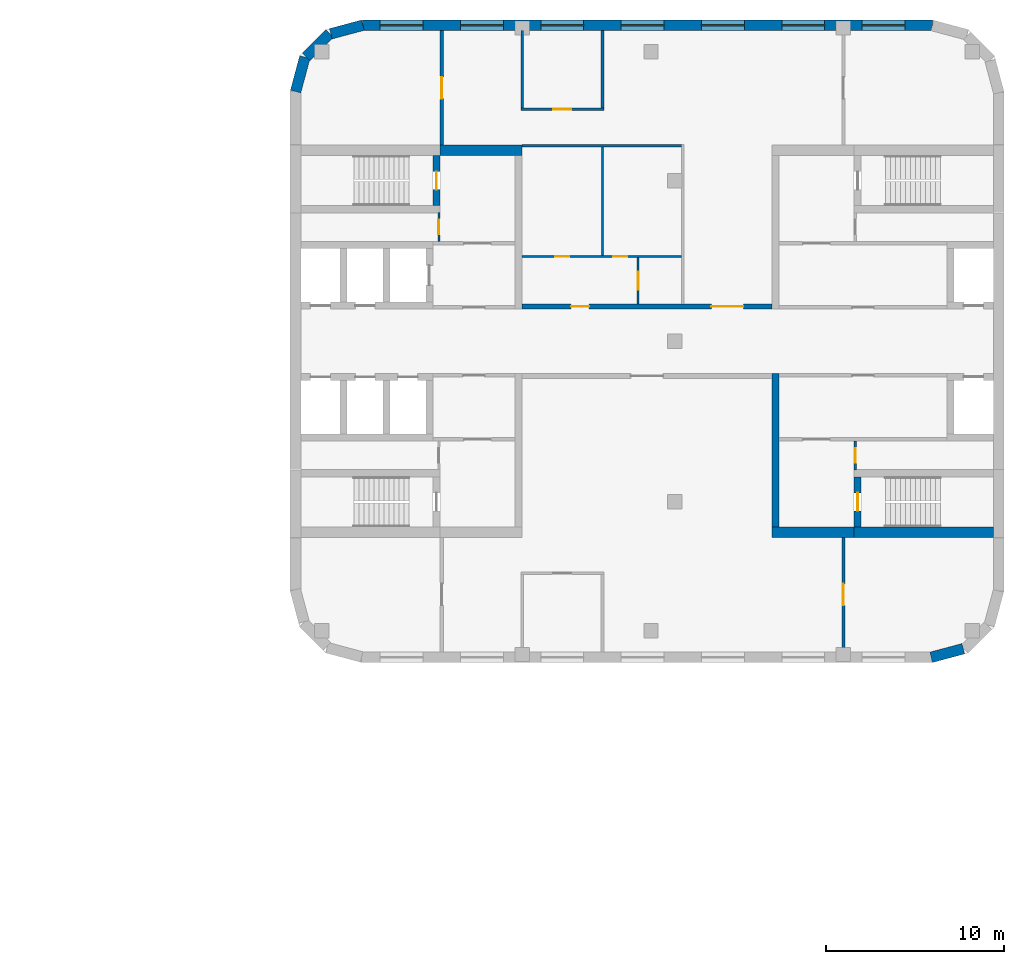
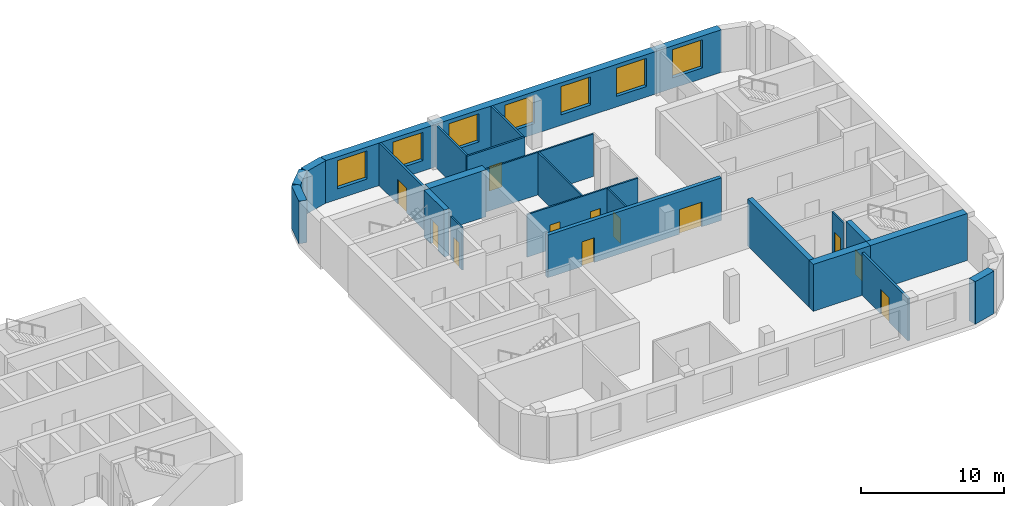
# One storey, part 8 of 12: 23 walls, 12 doors, 7 windows, 19 openings.
"""IFC4 building model written with IfcOpenShell, lengths in metres."""

from ifc_helpers import new_model, si_unit, direction, frame, frame_2d, origin, place, context, subcontext, project, spatial, rectangle, extrude, material, layer, layer_set, type_object, element, fill, save


model = new_model("IFC4")

# Units and contexts
model_context = context("Model", 3, precision=1e-05, world=origin(), true_north=direction((0.0, 1.0)))
body_context = subcontext(model_context, "Body", "Model", "MODEL_VIEW")
ifc_project = project(units=[si_unit("LENGTHUNIT", "METRE"), si_unit("AREAUNIT", "SQUARE_METRE"), si_unit("VOLUMEUNIT", "CUBIC_METRE"), si_unit("PLANEANGLEUNIT", "RADIAN"), si_unit("MASSUNIT", "GRAM", prefix="KILO")], contexts=[model_context])

# Site, building, storey
site_placement = place(None, origin())
site = spatial("IfcSite", under=ifc_project, at=site_placement, CompositionType="ELEMENT")
building_placement = place(site_placement, origin())
building = spatial("IfcBuilding", under=site, at=building_placement, Name="Skarvind Civic Tower", CompositionType="ELEMENT")
storey_placement = place(building_placement, frame((0.0, 0.0, 47.5)))
storey = spatial("IfcBuildingStorey", under=building, at=storey_placement, Name="L10", CompositionType="ELEMENT", Elevation=47.5)

# Wall, opening, door
ifc_material_1 = material(Name="Acoustic gypsum board on steel studs", Category="steel")
ifc_layer_1 = layer(ifc_material_1, 0.175048828125)
ifc_layer_set_1 = layer_set([ifc_layer_1], Name="ACOUSTIC MEETING-ROOM PARTITION 175")
wall_type_1 = type_object("IfcWallType", Name="ACOUSTIC MEETING-ROOM PARTITION 175", PredefinedType="PARTITIONING", material=ifc_layer_set_1)
wall_1_placement = place(storey_placement, frame((135.5, 145.39990234375, 0.0), z_axis=(0.0, 0.0, 1.0), x_axis=(0.0, -1.0, 0.0)))
wall_1 = element("IfcWall", 1, at=wall_1_placement, inside=storey, type_object=wall_type_1, Name="Partition 10.002", PredefinedType="PARTITIONING", context=body_context, shape_type="SweptSolid", body=[
    extrude(rectangle(XDim=6.39990234375, YDim=0.175048828125, at=frame_2d((3.199951171875, 0.0))), origin(), (0.0, 0.0, 1.0), 3.625),
])
opening_1_placement = place(wall_1_placement, frame((2.60009765625, 0.0, 0.0)))
opening_1 = element("IfcOpeningElement", 2, at=opening_1_placement, cuts=wall_1, Name="Opening L10-D107", PredefinedType="OPENING", context=body_context, shape_type="SweptSolid", body=[
    extrude(rectangle(XDim=1.199951171875, YDim=2.10009765625, at=frame_2d((0.60009765625, 1.050048828125))), frame((0.0, 0.097412109375, 0.0), z_axis=(0.0, -1.0, 0.0), x_axis=(1.0, 0.0, 0.0)), (0.0, 0.0, 1.0), 0.195068359375),
])
ifc_material_2 = material(Name="Timber door leaf", Category="wood")
door_type_1 = type_object("IfcDoorType", Name="DOOR 1200X2100 DOUBLE TIMBER", OperationType="NOTDEFINED", PredefinedType="DOOR", material=ifc_material_2)
door_1_placement = place(opening_1_placement, origin())
door_1 = element("IfcDoor", 3, at=door_1_placement, inside=storey, type_object=door_type_1, Name="Door L10-D107", OperationType="DOUBLE_DOOR_SINGLE_SWING", OverallHeight=2.10009765625, OverallWidth=1.199951171875, PredefinedType="DOOR", context=body_context, shape_type="SweptSolid", body=[
    extrude(rectangle(XDim=1.199951171875, YDim=2.10009765625, at=frame_2d((0.60009765625, 1.050048828125))), frame((0.0, 0.02490234375, 0.0), z_axis=(0.0, -1.0, 0.0), x_axis=(1.0, 0.0, 0.0)), (0.0, 0.0, 1.0), 0.050048828125),
])
fill(opening_1, door_1)

wall_2_placement = place(storey_placement, frame((158.0, 110.60009765625, 0.0), z_axis=(0.0, 0.0, 1.0), x_axis=(0.0, 1.0, 0.0)))
wall_2 = element("IfcWall", 4, at=wall_2_placement, inside=storey, type_object=wall_type_1, Name="Partition 10.016", PredefinedType="PARTITIONING", context=body_context, shape_type="SweptSolid", body=[
    extrude(rectangle(XDim=6.39990234375, YDim=0.175048828125, at=frame_2d((3.199951171875, 0.0))), origin(), (0.0, 0.0, 1.0), 3.625),
])
opening_2_placement = place(wall_2_placement, frame((2.60009765625, 0.0, 0.0)))
opening_2 = element("IfcOpeningElement", 5, at=opening_2_placement, cuts=wall_2, Name="Opening L10-D112", PredefinedType="OPENING", context=body_context, shape_type="SweptSolid", body=[
    extrude(rectangle(XDim=1.199951171875, YDim=2.10009765625, at=frame_2d((0.60009765625, 1.050048828125))), frame((0.0, 0.097412109375, 0.0), z_axis=(0.0, -1.0, 0.0), x_axis=(1.0, 0.0, 0.0)), (0.0, 0.0, 1.0), 0.195068359375),
])
door_2_placement = place(opening_2_placement, origin())
door_2 = element("IfcDoor", 6, at=door_2_placement, inside=storey, type_object=door_type_1, Name="Door L10-D112", OperationType="DOUBLE_DOOR_SINGLE_SWING", OverallHeight=2.10009765625, OverallWidth=1.199951171875, PredefinedType="DOOR", context=body_context, shape_type="SweptSolid", body=[
    extrude(rectangle(XDim=1.199951171875, YDim=2.10009765625, at=frame_2d((0.60009765625, 1.050048828125))), frame((0.0, 0.02490234375, 0.0), z_axis=(0.0, -1.0, 0.0), x_axis=(1.0, 0.0, 0.0)), (0.0, 0.0, 1.0), 0.050048828125),
])
fill(opening_2, door_2)

# Wall, openings, doors
ifc_material_3 = material(Name="Fire-rated gypsum board on steel studs", Category="steel")
ifc_layer_2 = layer(ifc_material_3, 0.300048828125)
ifc_layer_set_2 = layer_set([ifc_layer_2], Name="CORRIDOR WALL 300")
wall_type_2 = type_object("IfcWallType", Name="CORRIDOR WALL 300", PredefinedType="PARTITIONING", material=ifc_layer_set_2)
wall_3_placement = place(storey_placement, frame((140.0, 129.949951171875, 0.0), z_axis=(0.0, 0.0, 1.0), x_axis=(1.0, 0.0, 0.0)))
wall_3 = element("IfcWall", 7, at=wall_3_placement, inside=storey, type_object=wall_type_2, Name="Partition 10.005", PredefinedType="PARTITIONING", context=body_context, shape_type="SweptSolid", body=[
    extrude(rectangle(XDim=14.0, YDim=0.300048828125, at=frame_2d((7.0, 0.0))), origin(), (0.0, 0.0, 1.0), 3.625),
])
opening_3_placement = place(wall_3_placement, frame((2.75, 0.0, 0.0)))
opening_3 = element("IfcOpeningElement", 8, at=opening_3_placement, cuts=wall_3, Name="Opening L10-D101", PredefinedType="OPENING", context=body_context, shape_type="SweptSolid", body=[
    extrude(rectangle(XDim=1.0, YDim=2.10009765625, at=frame_2d((0.5, 1.050048828125))), frame((0.0, 0.159912109375, 0.0), z_axis=(0.0, -1.0, 0.0), x_axis=(1.0, 0.0, 0.0)), (0.0, 0.0, 1.0), 0.320068359375),
])
opening_4_placement = place(wall_3_placement, frame((10.60009765625, 0.0, 0.0)))
opening_4 = element("IfcOpeningElement", 9, at=opening_4_placement, cuts=wall_3, Name="Opening L10-D105", PredefinedType="OPENING", context=body_context, shape_type="SweptSolid", body=[
    extrude(rectangle(XDim=1.800048828125, YDim=2.10009765625, at=frame_2d((0.89990234375, 1.050048828125))), frame((0.0, 0.159912109375, 0.0), z_axis=(0.0, -1.0, 0.0), x_axis=(1.0, 0.0, 0.0)), (0.0, 0.0, 1.0), 0.320068359375),
])
ifc_material_4 = material(Name="Fire-rated timber door leaf", Category="wood")
door_type_2 = type_object("IfcDoorType", Name="FD1 1000x2100", OperationType="NOTDEFINED", PredefinedType="DOOR", material=ifc_material_4)
door_3_placement = place(opening_3_placement, origin())
door_3 = element("IfcDoor", 10, at=door_3_placement, inside=storey, type_object=door_type_2, Name="Door L10-D101", OperationType="SINGLE_SWING_LEFT", OverallHeight=2.10009765625, OverallWidth=1.0, PredefinedType="DOOR", context=body_context, shape_type="SweptSolid", body=[
    extrude(rectangle(XDim=1.0, YDim=2.10009765625, at=frame_2d((0.5, 1.050048828125))), frame((0.0, 0.02490234375, 0.0), z_axis=(0.0, -1.0, 0.0), x_axis=(1.0, 0.0, 0.0)), (0.0, 0.0, 1.0), 0.050048828125),
])
fill(opening_3, door_3)
door_type_3 = type_object("IfcDoorType", Name="FD4 1800x2100", OperationType="NOTDEFINED", PredefinedType="DOOR", material=ifc_material_4)
door_4_placement = place(opening_4_placement, origin())
door_4 = element("IfcDoor", 11, at=door_4_placement, inside=storey, type_object=door_type_3, Name="Door L10-D105", OperationType="DOUBLE_DOOR_SINGLE_SWING", OverallHeight=2.10009765625, OverallWidth=1.800048828125, PredefinedType="DOOR", context=body_context, shape_type="SweptSolid", body=[
    extrude(rectangle(XDim=1.800048828125, YDim=2.10009765625, at=frame_2d((0.89990234375, 1.050048828125))), frame((0.0, 0.02490234375, 0.0), z_axis=(0.0, -1.0, 0.0), x_axis=(1.0, 0.0, 0.0)), (0.0, 0.0, 1.0), 0.050048828125),
])
fill(opening_4, door_4)

# Wall, opening, door
ifc_material_5 = material(Name="Concrete C80", Category="concrete")
ifc_layer_3 = layer(ifc_material_5, 0.39990234375)
ifc_layer_set_3 = layer_set([ifc_layer_3], Name="Core wall 400 C80")
wall_type_3 = type_object("IfcWallType", Name="Core wall 400 C80", PredefinedType="SHEAR", material=ifc_layer_set_3)
wall_4_placement = place(storey_placement, frame((135.199951171875, 135.60009765625, 0.0), z_axis=(0.0, 0.0, 1.0), x_axis=(0.0, 1.0, 0.0)))
wall_4 = element("IfcWall", 12, at=wall_4_placement, inside=storey, type_object=wall_type_3, Name="Core wall CA north stair end L10", PredefinedType="SHEAR", context=body_context, shape_type="SweptSolid", body=[
    extrude(rectangle(XDim=2.7998046875, YDim=0.39990234375, at=frame_2d((1.39990234375, 0.0))), origin(), (0.0, 0.0, 1.0), 4.0),
])
opening_5_placement = place(wall_4_placement, frame((0.89990234375, 0.0, 0.0)))
opening_5 = element("IfcOpeningElement", 13, at=opening_5_placement, cuts=wall_4, Name="Opening D-L10-CA-08", PredefinedType="OPENING", context=body_context, shape_type="SweptSolid", body=[
    extrude(rectangle(XDim=1.0, YDim=2.10009765625, at=frame_2d((0.5, 1.050048828125))), frame((0.0, 0.2099609375, 0.0), z_axis=(0.0, -1.0, 0.0), x_axis=(1.0, 0.0, 0.0)), (0.0, 0.0, 1.0), 0.419921875),
])
ifc_material_6 = material(Name="Fire-rated steel door", Category="steel")
door_type_4 = type_object("IfcDoorType", Name="Fire door 1000", OperationType="NOTDEFINED", PredefinedType="DOOR", material=ifc_material_6)
door_5_placement = place(opening_5_placement, origin())
door_5 = element("IfcDoor", 14, at=door_5_placement, inside=storey, type_object=door_type_4, Name="Fire door", OperationType="SINGLE_SWING_LEFT", OverallHeight=2.10009765625, OverallWidth=1.0, PredefinedType="DOOR", context=body_context, shape_type="SweptSolid", body=[
    extrude(rectangle(XDim=1.0, YDim=2.10009765625, at=frame_2d((0.5, 1.050048828125))), frame((0.0, 0.02490234375, 0.0), z_axis=(0.0, -1.0, 0.0), x_axis=(1.0, 0.0, 0.0)), (0.0, 0.0, 1.0), 0.050048828125),
])
fill(opening_5, door_5)

wall_5_placement = place(storey_placement, frame((158.800048828125, 120.39990234375, 0.0), z_axis=(0.0, 0.0, 1.0), x_axis=(0.0, -1.0, 0.0)))
wall_5 = element("IfcWall", 15, at=wall_5_placement, inside=storey, type_object=wall_type_3, Name="Core wall CB north stair end L10", PredefinedType="SHEAR", context=body_context, shape_type="SweptSolid", body=[
    extrude(rectangle(XDim=2.7998046875, YDim=0.39990234375, at=frame_2d((1.39990234375, 0.0))), origin(), (0.0, 0.0, 1.0), 4.0),
])
opening_6_placement = place(wall_5_placement, frame((0.89990234375, 0.0, 0.0)))
opening_6 = element("IfcOpeningElement", 16, at=opening_6_placement, cuts=wall_5, Name="Opening D-L10-CB-05", PredefinedType="OPENING", context=body_context, shape_type="SweptSolid", body=[
    extrude(rectangle(XDim=1.0, YDim=2.10009765625, at=frame_2d((0.5, 1.050048828125))), frame((0.0, 0.2099609375, 0.0), z_axis=(0.0, -1.0, 0.0), x_axis=(1.0, 0.0, 0.0)), (0.0, 0.0, 1.0), 0.419921875),
])
door_6_placement = place(opening_6_placement, origin())
door_6 = element("IfcDoor", 17, at=door_6_placement, inside=storey, type_object=door_type_4, Name="Fire door", OperationType="SINGLE_SWING_LEFT", OverallHeight=2.10009765625, OverallWidth=1.0, PredefinedType="DOOR", context=body_context, shape_type="SweptSolid", body=[
    extrude(rectangle(XDim=1.0, YDim=2.10009765625, at=frame_2d((0.5, 1.050048828125))), frame((0.0, 0.02490234375, 0.0), z_axis=(0.0, -1.0, 0.0), x_axis=(1.0, 0.0, 0.0)), (0.0, 0.0, 1.0), 0.050048828125),
])
fill(opening_6, door_6)

# Walls
wall_6_placement = place(storey_placement, frame((154.199951171875, 126.199951171875, 0.0), z_axis=(0.0, 0.0, 1.0), x_axis=(0.0, -1.0, 0.0)))
element("IfcWall", 18, at=wall_6_placement, inside=storey, type_object=wall_type_3, Name="Core wall CB north inner face L10", PredefinedType="SHEAR", context=body_context, shape_type="SweptSolid", body=[
    extrude(rectangle(XDim=8.599853515625, YDim=0.39990234375, at=frame_2d((4.2998046875, 0.0))), origin(), (0.0, 0.0, 1.0), 4.0),
])
ifc_layer_4 = layer(ifc_material_5, 0.60009765625)
ifc_layer_set_4 = layer_set([ifc_layer_4], Name="Core wall 600 C80")
wall_type_4 = type_object("IfcWallType", Name="Core wall 600 C80", PredefinedType="SHEAR", material=ifc_layer_set_4)
wall_7_placement = place(storey_placement, frame((135.39990234375, 138.699951171875, 0.0), z_axis=(0.0, 0.0, 1.0), x_axis=(1.0, 0.0, 0.0)))
element("IfcWall", 19, at=wall_7_placement, inside=storey, type_object=wall_type_4, Name="Core wall CA north side L10", PredefinedType="SHEAR", context=body_context, shape_type="SweptSolid", body=[
    extrude(rectangle(XDim=4.60009765625, YDim=0.60009765625, at=frame_2d((2.300048828125, 0.0))), origin(), (0.0, 0.0, 1.0), 4.0),
])
wall_8_placement = place(storey_placement, frame((166.39990234375, 117.300048828125, 0.0), z_axis=(0.0, 0.0, 1.0), x_axis=(-1.0, 0.0, 0.0)))
element("IfcWall", 20, at=wall_8_placement, inside=storey, type_object=wall_type_4, Name="Core wall CB north side at the stair L10", PredefinedType="SHEAR", context=body_context, shape_type="SweptSolid", body=[
    extrude(rectangle(XDim=7.7998046875, YDim=0.60009765625, at=frame_2d((3.89990234375, 0.0))), origin(), (0.0, 0.0, 1.0), 4.0),
])
wall_9_placement = place(storey_placement, frame((158.60009765625, 117.300048828125, 0.0), z_axis=(0.0, 0.0, 1.0), x_axis=(-1.0, 0.0, 0.0)))
element("IfcWall", 21, at=wall_9_placement, inside=storey, type_object=wall_type_4, Name="Core wall CB north side L10", PredefinedType="SHEAR", context=body_context, shape_type="SweptSolid", body=[
    extrude(rectangle(XDim=4.60009765625, YDim=0.60009765625, at=frame_2d((2.300048828125, 0.0))), origin(), (0.0, 0.0, 1.0), 4.0),
])
ifc_material_7 = material(Name="Plasterboard partition on steel studs", Category="steel")
ifc_layer_5 = layer(ifc_material_7, 0.14990234375)
ifc_layer_set_5 = layer_set([ifc_layer_5], Name="PARTITION 150")
wall_type_5 = type_object("IfcWallType", Name="PARTITION 150", PredefinedType="PARTITIONING", material=ifc_layer_set_5)
wall_10_placement = place(storey_placement, frame((140.0, 141.074951171875, 0.0), z_axis=(0.0, 0.0, 1.0), x_axis=(0.0, 1.0, 0.0)))
element("IfcWall", 22, at=wall_10_placement, inside=storey, type_object=wall_type_5, Name="Partition 10.008", PredefinedType="PARTITIONING", context=body_context, shape_type="SweptSolid", body=[
    extrude(rectangle(XDim=4.324951171875, YDim=0.14990234375, at=frame_2d((2.16259765625, 0.0))), origin(), (0.0, 0.0, 1.0), 3.625),
])

# Wall, opening, door
wall_11_placement = place(storey_placement, frame((144.574951171875, 141.0, 0.0), z_axis=(0.0, 0.0, 1.0), x_axis=(-1.0, 0.0, 0.0)))
wall_11 = element("IfcWall", 23, at=wall_11_placement, inside=storey, type_object=wall_type_5, Name="Partition 10.011", PredefinedType="PARTITIONING", context=body_context, shape_type="SweptSolid", body=[
    extrude(rectangle(XDim=4.64990234375, YDim=0.14990234375, at=frame_2d((2.324951171875, 0.0))), origin(), (0.0, 0.0, 1.0), 3.625),
])
opening_7_placement = place(wall_11_placement, frame((1.824951171875, 0.0, 0.0)))
opening_7 = element("IfcOpeningElement", 24, at=opening_7_placement, cuts=wall_11, Name="Opening L10-D106", PredefinedType="OPENING", context=body_context, shape_type="SweptSolid", body=[
    extrude(rectangle(XDim=1.0, YDim=2.10009765625, at=frame_2d((0.5, 1.050048828125))), frame((0.0, 0.0849609375, 0.0), z_axis=(0.0, -1.0, 0.0), x_axis=(1.0, 0.0, 0.0)), (0.0, 0.0, 1.0), 0.169921875),
])
door_type_5 = type_object("IfcDoorType", Name="D1 1000x2100", OperationType="NOTDEFINED", PredefinedType="DOOR", material=ifc_material_2)
door_7_placement = place(opening_7_placement, origin())
door_7 = element("IfcDoor", 25, at=door_7_placement, inside=storey, type_object=door_type_5, Name="Door L10-D106", OperationType="SINGLE_SWING_LEFT", OverallHeight=2.10009765625, OverallWidth=1.0, PredefinedType="DOOR", context=body_context, shape_type="SweptSolid", body=[
    extrude(rectangle(XDim=1.0, YDim=2.10009765625, at=frame_2d((0.5, 1.050048828125))), frame((0.0, 0.02490234375, 0.0), z_axis=(0.0, -1.0, 0.0), x_axis=(1.0, 0.0, 0.0)), (0.0, 0.0, 1.0), 0.050048828125),
])
fill(opening_7, door_7)

# Wall
wall_12_placement = place(storey_placement, frame((144.5, 145.39990234375, 0.0), z_axis=(0.0, 0.0, 1.0), x_axis=(0.0, -1.0, 0.0)))
element("IfcWall", 26, at=wall_12_placement, inside=storey, type_object=wall_type_5, Name="Partition 10.012", PredefinedType="PARTITIONING", context=body_context, shape_type="SweptSolid", body=[
    extrude(rectangle(XDim=4.324951171875, YDim=0.14990234375, at=frame_2d((2.16259765625, 0.0))), origin(), (0.0, 0.0, 1.0), 3.625),
])

# Wall, opening, door
ifc_material_8 = material(Name="Fire-rated masonry partition", Category="masonry")
ifc_layer_6 = layer(ifc_material_8, 0.125)
ifc_layer_set_6 = layer_set([ifc_layer_6], Name="Riser wall 125")
wall_type_6 = type_object("IfcWallType", Name="Riser wall 125", PredefinedType="PARTITIONING", material=ifc_layer_set_6)
wall_13_placement = place(storey_placement, frame((135.33740234375, 135.199951171875, 0.0), z_axis=(0.0, 0.0, 1.0), x_axis=(0.0, -1.0, 0.0)))
wall_13 = element("IfcWall", 27, at=wall_13_placement, inside=storey, type_object=wall_type_6, Name="Core wall CA", PredefinedType="PARTITIONING", context=body_context, shape_type="SweptSolid", body=[
    extrude(rectangle(XDim=1.599853515625, YDim=0.125, at=frame_2d((0.7998046875, 0.0))), origin(), (0.0, 0.0, 1.0), 3.625),
])
opening_8_placement = place(wall_13_placement, frame((0.39990234375, 0.0, 0.0)))
opening_8 = element("IfcOpeningElement", 28, at=opening_8_placement, cuts=wall_13, Name="Opening D-L10-CA-09", PredefinedType="OPENING", context=body_context, shape_type="SweptSolid", body=[
    extrude(rectangle(XDim=0.800048828125, YDim=2.10009765625, at=frame_2d((0.39990234375, 1.050048828125))), frame((0.0, 0.072509765625, 0.0), z_axis=(0.0, -1.0, 0.0), x_axis=(1.0, 0.0, 0.0)), (0.0, 0.0, 1.0), 0.14501953125),
])
door_type_6 = type_object("IfcDoorType", Name="Core riser door 800", OperationType="NOTDEFINED", PredefinedType="DOOR", material=ifc_material_6)
door_8_placement = place(opening_8_placement, origin())
door_8 = element("IfcDoor", 29, at=door_8_placement, inside=storey, type_object=door_type_6, Name="Riser door", OperationType="SINGLE_SWING_RIGHT", OverallHeight=2.10009765625, OverallWidth=0.800048828125, PredefinedType="DOOR", context=body_context, shape_type="SweptSolid", body=[
    extrude(rectangle(XDim=0.800048828125, YDim=2.10009765625, at=frame_2d((0.39990234375, 1.050048828125))), frame((0.0, 0.02490234375, 0.0), z_axis=(0.0, -1.0, 0.0), x_axis=(1.0, 0.0, 0.0)), (0.0, 0.0, 1.0), 0.050048828125),
])
fill(opening_8, door_8)

wall_14_placement = place(storey_placement, frame((158.66259765625, 120.800048828125, 0.0), z_axis=(0.0, 0.0, 1.0), x_axis=(0.0, 1.0, 0.0)))
wall_14 = element("IfcWall", 30, at=wall_14_placement, inside=storey, type_object=wall_type_6, Name="Core wall CB", PredefinedType="PARTITIONING", context=body_context, shape_type="SweptSolid", body=[
    extrude(rectangle(XDim=1.599853515625, YDim=0.125, at=frame_2d((0.7998046875, 0.0))), origin(), (0.0, 0.0, 1.0), 3.625),
])
opening_9_placement = place(wall_14_placement, frame((0.39990234375, 0.0, 0.0)))
opening_9 = element("IfcOpeningElement", 31, at=opening_9_placement, cuts=wall_14, Name="Opening D-L10-CB-06", PredefinedType="OPENING", context=body_context, shape_type="SweptSolid", body=[
    extrude(rectangle(XDim=0.800048828125, YDim=2.10009765625, at=frame_2d((0.39990234375, 1.050048828125))), frame((0.0, 0.072509765625, 0.0), z_axis=(0.0, -1.0, 0.0), x_axis=(1.0, 0.0, 0.0)), (0.0, 0.0, 1.0), 0.14501953125),
])
door_9_placement = place(opening_9_placement, origin())
door_9 = element("IfcDoor", 32, at=door_9_placement, inside=storey, type_object=door_type_6, Name="Riser door", OperationType="SINGLE_SWING_RIGHT", OverallHeight=2.10009765625, OverallWidth=0.800048828125, PredefinedType="DOOR", context=body_context, shape_type="SweptSolid", body=[
    extrude(rectangle(XDim=0.800048828125, YDim=2.10009765625, at=frame_2d((0.39990234375, 1.050048828125))), frame((0.0, 0.02490234375, 0.0), z_axis=(0.0, -1.0, 0.0), x_axis=(1.0, 0.0, 0.0)), (0.0, 0.0, 1.0), 0.050048828125),
])
fill(opening_9, door_9)

# Wall, openings, doors
ifc_material_9 = material(Name="Moisture-resistant gypsum board on steel studs", Category="steel")
ifc_layer_7 = layer(ifc_material_9, 0.125)
ifc_layer_set_7 = layer_set([ifc_layer_7], Name="WC PARTITION 125")
wall_type_7 = type_object("IfcWallType", Name="WC PARTITION 125", PredefinedType="PARTITIONING", material=ifc_layer_set_7)
wall_15_placement = place(storey_placement, frame((140.0, 132.75, 0.0), z_axis=(0.0, 0.0, 1.0), x_axis=(1.0, 0.0, 0.0)))
wall_15 = element("IfcWall", 33, at=wall_15_placement, inside=storey, type_object=wall_type_7, Name="Partition 10.006", PredefinedType="PARTITIONING", context=body_context, shape_type="SweptSolid", body=[
    extrude(rectangle(XDim=8.93798828125, YDim=0.125, at=frame_2d((4.468994140625, 0.0))), origin(), (0.0, 0.0, 1.0), 3.625),
])
opening_10_placement = place(wall_15_placement, frame((1.85009765625, 0.0, 0.0)))
opening_10 = element("IfcOpeningElement", 34, at=opening_10_placement, cuts=wall_15, Name="Opening L10-D103", PredefinedType="OPENING", context=body_context, shape_type="SweptSolid", body=[
    extrude(rectangle(XDim=0.800048828125, YDim=2.10009765625, at=frame_2d((0.39990234375, 1.050048828125))), frame((0.0, 0.072509765625, 0.0), z_axis=(0.0, -1.0, 0.0), x_axis=(1.0, 0.0, 0.0)), (0.0, 0.0, 1.0), 0.14501953125),
])
opening_11_placement = place(wall_15_placement, frame((5.1015625, 0.0, 0.0)))
opening_11 = element("IfcOpeningElement", 35, at=opening_11_placement, cuts=wall_15, Name="Opening L10-D104", PredefinedType="OPENING", context=body_context, shape_type="SweptSolid", body=[
    extrude(rectangle(XDim=0.800048828125, YDim=2.10009765625, at=frame_2d((0.39990234375, 1.050048828125))), frame((0.0, 0.072509765625, 0.0), z_axis=(0.0, -1.0, 0.0), x_axis=(1.0, 0.0, 0.0)), (0.0, 0.0, 1.0), 0.14501953125),
])
door_type_7 = type_object("IfcDoorType", Name="DOOR 800X2100 TIMBER", OperationType="NOTDEFINED", PredefinedType="DOOR", material=ifc_material_2)
door_10_placement = place(opening_10_placement, origin())
door_10 = element("IfcDoor", 36, at=door_10_placement, inside=storey, type_object=door_type_7, Name="Door L10-D103", OperationType="SINGLE_SWING_LEFT", OverallHeight=2.10009765625, OverallWidth=0.800048828125, PredefinedType="DOOR", context=body_context, shape_type="SweptSolid", body=[
    extrude(rectangle(XDim=0.800048828125, YDim=2.10009765625, at=frame_2d((0.39990234375, 1.050048828125))), frame((0.0, 0.02490234375, 0.0), z_axis=(0.0, -1.0, 0.0), x_axis=(1.0, 0.0, 0.0)), (0.0, 0.0, 1.0), 0.050048828125),
])
fill(opening_10, door_10)
door_11_placement = place(opening_11_placement, origin())
door_11 = element("IfcDoor", 37, at=door_11_placement, inside=storey, type_object=door_type_7, Name="Door L10-D104", OperationType="SINGLE_SWING_LEFT", OverallHeight=2.10009765625, OverallWidth=0.800048828125, PredefinedType="DOOR", context=body_context, shape_type="SweptSolid", body=[
    extrude(rectangle(XDim=0.800048828125, YDim=2.10009765625, at=frame_2d((0.39990234375, 1.050048828125))), frame((0.0, 0.02490234375, 0.0), z_axis=(0.0, -1.0, 0.0), x_axis=(1.0, 0.0, 0.0)), (0.0, 0.0, 1.0), 0.050048828125),
])
fill(opening_11, door_11)

# Walls
wall_16_placement = place(storey_placement, frame((140.0, 138.949951171875, 0.0), z_axis=(0.0, 0.0, 1.0), x_axis=(1.0, 0.0, 0.0)))
element("IfcWall", 38, at=wall_16_placement, inside=storey, type_object=wall_type_7, Name="Partition 10.007", PredefinedType="PARTITIONING", context=body_context, shape_type="SweptSolid", body=[
    extrude(rectangle(XDim=8.93798828125, YDim=0.125, at=frame_2d((4.468994140625, 0.0))), origin(), (0.0, 0.0, 1.0), 3.625),
])
wall_17_placement = place(storey_placement, frame((144.5, 132.81201171875, 0.0), z_axis=(0.0, 0.0, 1.0), x_axis=(0.0, 1.0, 0.0)))
element("IfcWall", 39, at=wall_17_placement, inside=storey, type_object=wall_type_7, Name="Partition 10.010", PredefinedType="PARTITIONING", context=body_context, shape_type="SweptSolid", body=[
    extrude(rectangle(XDim=6.075927734375, YDim=0.125, at=frame_2d((3.0380859375, 0.0))), origin(), (0.0, 0.0, 1.0), 3.625),
])

# Wall, opening, door
wall_18_placement = place(storey_placement, frame((146.5, 132.68798828125, 0.0), z_axis=(0.0, 0.0, 1.0), x_axis=(0.0, -1.0, 0.0)))
wall_18 = element("IfcWall", 40, at=wall_18_placement, inside=storey, type_object=wall_type_7, Name="Partition 10.013", PredefinedType="PARTITIONING", context=body_context, shape_type="SweptSolid", body=[
    extrude(rectangle(XDim=2.587890625, YDim=0.125, at=frame_2d((1.2939453125, 0.0))), origin(), (0.0, 0.0, 1.0), 3.625),
])
opening_12_placement = place(wall_18_placement, frame((0.7939453125, 0.0, 0.0)))
opening_12 = element("IfcOpeningElement", 41, at=opening_12_placement, cuts=wall_18, Name="Opening L10-D102", PredefinedType="OPENING", context=body_context, shape_type="SweptSolid", body=[
    extrude(rectangle(XDim=1.0, YDim=2.10009765625, at=frame_2d((0.5, 1.050048828125))), frame((0.0, 0.072509765625, 0.0), z_axis=(0.0, -1.0, 0.0), x_axis=(1.0, 0.0, 0.0)), (0.0, 0.0, 1.0), 0.14501953125),
])
door_12_placement = place(opening_12_placement, origin())
door_12 = element("IfcDoor", 42, at=door_12_placement, inside=storey, type_object=door_type_5, Name="Door L10-D102", OperationType="SINGLE_SWING_RIGHT", OverallHeight=2.10009765625, OverallWidth=1.0, PredefinedType="DOOR", context=body_context, shape_type="SweptSolid", body=[
    extrude(rectangle(XDim=1.0, YDim=2.10009765625, at=frame_2d((0.5, 1.050048828125))), frame((0.0, 0.02490234375, 0.0), z_axis=(0.0, -1.0, 0.0), x_axis=(1.0, 0.0, 0.0)), (0.0, 0.0, 1.0), 0.050048828125),
])
fill(opening_12, door_12)

# Wall, openings, windows
ifc_material_10 = material(Name="Limestone masonry cladding on insulated backing", Category="masonry")
ifc_layer_8 = layer(ifc_material_10, 0.60009765625)
ifc_layer_set_8 = layer_set([ifc_layer_8], Name="WX1 STONE FACADE WALL 600")
wall_type_8 = type_object("IfcWallType", Name="WX1 STONE FACADE WALL 600", PredefinedType="SOLIDWALL", material=ifc_layer_set_8)
wall_19_placement = place(storey_placement, frame((131.070068359375, 145.699951171875, 0.0), z_axis=(0.0, 0.0, 1.0), x_axis=(1.0, 0.0, 0.0)))
wall_19 = element("IfcWall", 43, at=wall_19_placement, inside=storey, type_object=wall_type_8, Name="STONE FACADE WALL", PredefinedType="SOLIDWALL", context=body_context, shape_type="SweptSolid", body=[
    extrude(rectangle(XDim=31.929931640625, YDim=0.60009765625, at=frame_2d((15.96484375, 0.0))), origin(), (0.0, 0.0, 1.0), 3.625),
])
opening_13_placement = place(wall_19_placement, frame((0.97998046875, 0.0, 0.89990234375)))
opening_13 = element("IfcOpeningElement", 44, at=opening_13_placement, cuts=wall_19, Name="Opening WN9", PredefinedType="OPENING", context=body_context, shape_type="SweptSolid", body=[
    extrude(rectangle(XDim=2.39990234375, YDim=2.39990234375, at=frame_2d((1.199951171875, 1.199951171875))), frame((0.0, 0.31005859375, 0.0), z_axis=(0.0, -1.0, 0.0), x_axis=(1.0, 0.0, 0.0)), (0.0, 0.0, 1.0), 0.6201171875),
])
opening_14_placement = place(wall_19_placement, frame((5.47998046875, 0.0, 0.89990234375)))
opening_14 = element("IfcOpeningElement", 45, at=opening_14_placement, cuts=wall_19, Name="Opening WN9", PredefinedType="OPENING", context=body_context, shape_type="SweptSolid", body=[
    extrude(rectangle(XDim=2.39990234375, YDim=2.39990234375, at=frame_2d((1.199951171875, 1.199951171875))), frame((0.0, 0.31005859375, 0.0), z_axis=(0.0, -1.0, 0.0), x_axis=(1.0, 0.0, 0.0)), (0.0, 0.0, 1.0), 0.6201171875),
])
opening_15_placement = place(wall_19_placement, frame((9.97998046875, 0.0, 0.89990234375)))
opening_15 = element("IfcOpeningElement", 46, at=opening_15_placement, cuts=wall_19, Name="Opening WN9", PredefinedType="OPENING", context=body_context, shape_type="SweptSolid", body=[
    extrude(rectangle(XDim=2.39990234375, YDim=2.39990234375, at=frame_2d((1.199951171875, 1.199951171875))), frame((0.0, 0.31005859375, 0.0), z_axis=(0.0, -1.0, 0.0), x_axis=(1.0, 0.0, 0.0)), (0.0, 0.0, 1.0), 0.6201171875),
])
opening_16_placement = place(wall_19_placement, frame((14.47998046875, 0.0, 0.89990234375)))
opening_16 = element("IfcOpeningElement", 47, at=opening_16_placement, cuts=wall_19, Name="Opening WN9", PredefinedType="OPENING", context=body_context, shape_type="SweptSolid", body=[
    extrude(rectangle(XDim=2.39990234375, YDim=2.39990234375, at=frame_2d((1.199951171875, 1.199951171875))), frame((0.0, 0.31005859375, 0.0), z_axis=(0.0, -1.0, 0.0), x_axis=(1.0, 0.0, 0.0)), (0.0, 0.0, 1.0), 0.6201171875),
])
opening_17_placement = place(wall_19_placement, frame((18.97998046875, 0.0, 0.89990234375)))
opening_17 = element("IfcOpeningElement", 48, at=opening_17_placement, cuts=wall_19, Name="Opening WN9", PredefinedType="OPENING", context=body_context, shape_type="SweptSolid", body=[
    extrude(rectangle(XDim=2.39990234375, YDim=2.39990234375, at=frame_2d((1.199951171875, 1.199951171875))), frame((0.0, 0.31005859375, 0.0), z_axis=(0.0, -1.0, 0.0), x_axis=(1.0, 0.0, 0.0)), (0.0, 0.0, 1.0), 0.6201171875),
])
opening_18_placement = place(wall_19_placement, frame((23.47998046875, 0.0, 0.89990234375)))
opening_18 = element("IfcOpeningElement", 49, at=opening_18_placement, cuts=wall_19, Name="Opening WN9", PredefinedType="OPENING", context=body_context, shape_type="SweptSolid", body=[
    extrude(rectangle(XDim=2.39990234375, YDim=2.39990234375, at=frame_2d((1.199951171875, 1.199951171875))), frame((0.0, 0.31005859375, 0.0), z_axis=(0.0, -1.0, 0.0), x_axis=(1.0, 0.0, 0.0)), (0.0, 0.0, 1.0), 0.6201171875),
])
opening_19_placement = place(wall_19_placement, frame((27.97998046875, 0.0, 0.89990234375)))
opening_19 = element("IfcOpeningElement", 50, at=opening_19_placement, cuts=wall_19, Name="Opening WN9", PredefinedType="OPENING", context=body_context, shape_type="SweptSolid", body=[
    extrude(rectangle(XDim=2.39990234375, YDim=2.39990234375, at=frame_2d((1.199951171875, 1.199951171875))), frame((0.0, 0.31005859375, 0.0), z_axis=(0.0, -1.0, 0.0), x_axis=(1.0, 0.0, 0.0)), (0.0, 0.0, 1.0), 0.6201171875),
])
ifc_material_11 = material(Name="Timber frame, double glazing, timber-lined reveal", Category="wood")
window_type = type_object("IfcWindowType", Name="WN9 COMPANION TOWER WINDOW 2400 x 2400", PartitioningType="SINGLE_PANEL", PredefinedType="WINDOW", material=ifc_material_11)
window_1_placement = place(opening_13_placement, origin())
window_1 = element("IfcWindow", 51, at=window_1_placement, inside=storey, type_object=window_type, Name="WN9 WINDOW", OverallHeight=2.39990234375, OverallWidth=2.39990234375, PartitioningType="SINGLE_PANEL", PredefinedType="WINDOW", context=body_context, shape_type="SweptSolid", body=[
    extrude(rectangle(XDim=2.39990234375, YDim=2.39990234375, at=frame_2d((1.199951171875, 1.199951171875))), frame((0.0, 0.030029296875, 0.0), z_axis=(0.0, -1.0, 0.0), x_axis=(1.0, 0.0, 0.0)), (0.0, 0.0, 1.0), 0.06005859375),
])
fill(opening_13, window_1)
window_2_placement = place(opening_14_placement, origin())
window_2 = element("IfcWindow", 52, at=window_2_placement, inside=storey, type_object=window_type, Name="WN9 WINDOW", OverallHeight=2.39990234375, OverallWidth=2.39990234375, PartitioningType="SINGLE_PANEL", PredefinedType="WINDOW", context=body_context, shape_type="SweptSolid", body=[
    extrude(rectangle(XDim=2.39990234375, YDim=2.39990234375, at=frame_2d((1.199951171875, 1.199951171875))), frame((0.0, 0.030029296875, 0.0), z_axis=(0.0, -1.0, 0.0), x_axis=(1.0, 0.0, 0.0)), (0.0, 0.0, 1.0), 0.06005859375),
])
fill(opening_14, window_2)
window_3_placement = place(opening_15_placement, origin())
window_3 = element("IfcWindow", 53, at=window_3_placement, inside=storey, type_object=window_type, Name="WN9 WINDOW", OverallHeight=2.39990234375, OverallWidth=2.39990234375, PartitioningType="SINGLE_PANEL", PredefinedType="WINDOW", context=body_context, shape_type="SweptSolid", body=[
    extrude(rectangle(XDim=2.39990234375, YDim=2.39990234375, at=frame_2d((1.199951171875, 1.199951171875))), frame((0.0, 0.030029296875, 0.0), z_axis=(0.0, -1.0, 0.0), x_axis=(1.0, 0.0, 0.0)), (0.0, 0.0, 1.0), 0.06005859375),
])
fill(opening_15, window_3)
window_4_placement = place(opening_16_placement, origin())
window_4 = element("IfcWindow", 54, at=window_4_placement, inside=storey, type_object=window_type, Name="WN9 WINDOW", OverallHeight=2.39990234375, OverallWidth=2.39990234375, PartitioningType="SINGLE_PANEL", PredefinedType="WINDOW", context=body_context, shape_type="SweptSolid", body=[
    extrude(rectangle(XDim=2.39990234375, YDim=2.39990234375, at=frame_2d((1.199951171875, 1.199951171875))), frame((0.0, 0.030029296875, 0.0), z_axis=(0.0, -1.0, 0.0), x_axis=(1.0, 0.0, 0.0)), (0.0, 0.0, 1.0), 0.06005859375),
])
fill(opening_16, window_4)
window_5_placement = place(opening_17_placement, origin())
window_5 = element("IfcWindow", 55, at=window_5_placement, inside=storey, type_object=window_type, Name="WN9 WINDOW", OverallHeight=2.39990234375, OverallWidth=2.39990234375, PartitioningType="SINGLE_PANEL", PredefinedType="WINDOW", context=body_context, shape_type="SweptSolid", body=[
    extrude(rectangle(XDim=2.39990234375, YDim=2.39990234375, at=frame_2d((1.199951171875, 1.199951171875))), frame((0.0, 0.030029296875, 0.0), z_axis=(0.0, -1.0, 0.0), x_axis=(1.0, 0.0, 0.0)), (0.0, 0.0, 1.0), 0.06005859375),
])
fill(opening_17, window_5)
window_6_placement = place(opening_18_placement, origin())
window_6 = element("IfcWindow", 56, at=window_6_placement, inside=storey, type_object=window_type, Name="WN9 WINDOW", OverallHeight=2.39990234375, OverallWidth=2.39990234375, PartitioningType="SINGLE_PANEL", PredefinedType="WINDOW", context=body_context, shape_type="SweptSolid", body=[
    extrude(rectangle(XDim=2.39990234375, YDim=2.39990234375, at=frame_2d((1.199951171875, 1.199951171875))), frame((0.0, 0.030029296875, 0.0), z_axis=(0.0, -1.0, 0.0), x_axis=(1.0, 0.0, 0.0)), (0.0, 0.0, 1.0), 0.06005859375),
])
fill(opening_18, window_6)
window_7_placement = place(opening_19_placement, origin())
window_7 = element("IfcWindow", 57, at=window_7_placement, inside=storey, type_object=window_type, Name="WN9 WINDOW", OverallHeight=2.39990234375, OverallWidth=2.39990234375, PartitioningType="SINGLE_PANEL", PredefinedType="WINDOW", context=body_context, shape_type="SweptSolid", body=[
    extrude(rectangle(XDim=2.39990234375, YDim=2.39990234375, at=frame_2d((1.199951171875, 1.199951171875))), frame((0.0, 0.030029296875, 0.0), z_axis=(0.0, -1.0, 0.0), x_axis=(1.0, 0.0, 0.0)), (0.0, 0.0, 1.0), 0.06005859375),
])
fill(opening_19, window_7)

# Walls
for number, where, z_axis, x_axis, name in (
    (58, (129.280517578125, 145.228759765625, 0.0), (0.0, 0.0, 1.0), (0.965938094805, 0.258773254036, 0.0), "STONE FACADE WALL"),
    (59, (127.896484375, 143.936279296875, 0.0), (0.0, 0.0, 1.0), (0.707106781187, 0.707106781187, 0.0), "STONE FACADE WALL"),
):
    element("IfcWall", number, at=place(storey_placement, frame(where, z_axis=z_axis, x_axis=x_axis)), inside=storey, type_object=wall_type_8, Name=name, PredefinedType="SOLIDWALL", context=body_context, shape_type="SweptSolid", body=[
        extrude(rectangle(XDim=1.860595703125, YDim=0.60009765625, at=frame_2d((0.93017578125, 0.0))), origin(), (0.0, 0.0, 1.0), 3.625),
    ])
wall_20_placement = place(storey_placement, frame((127.307861328125, 141.989990234375, 0.0), z_axis=(0.0, 0.0, 1.0), x_axis=(0.258839784042, 0.965920269068, 0.0)))
element("IfcWall", 60, at=wall_20_placement, inside=storey, type_object=wall_type_8, Name="STONE FACADE WALL", PredefinedType="SOLIDWALL", context=body_context, shape_type="SweptSolid", body=[
    extrude(rectangle(XDim=2.00048828125, YDim=0.60009765625, at=frame_2d((1.000244140625, 0.0))), origin(), (0.0, 0.0, 1.0), 3.625),
])
wall_21_placement = place(storey_placement, frame((164.719482421875, 110.771240234375, 0.0), z_axis=(0.0, 0.0, 1.0), x_axis=(-0.965938094805, -0.258773254036, 0.0)))
element("IfcWall", 61, at=wall_21_placement, inside=storey, type_object=wall_type_8, Name="STONE FACADE WALL", PredefinedType="SOLIDWALL", context=body_context, shape_type="SweptSolid", body=[
    extrude(rectangle(XDim=1.860595703125, YDim=0.60009765625, at=frame_2d((0.93017578125, 0.0))), origin(), (0.0, 0.0, 1.0), 3.625),
])

save(model, "model.ifc")
